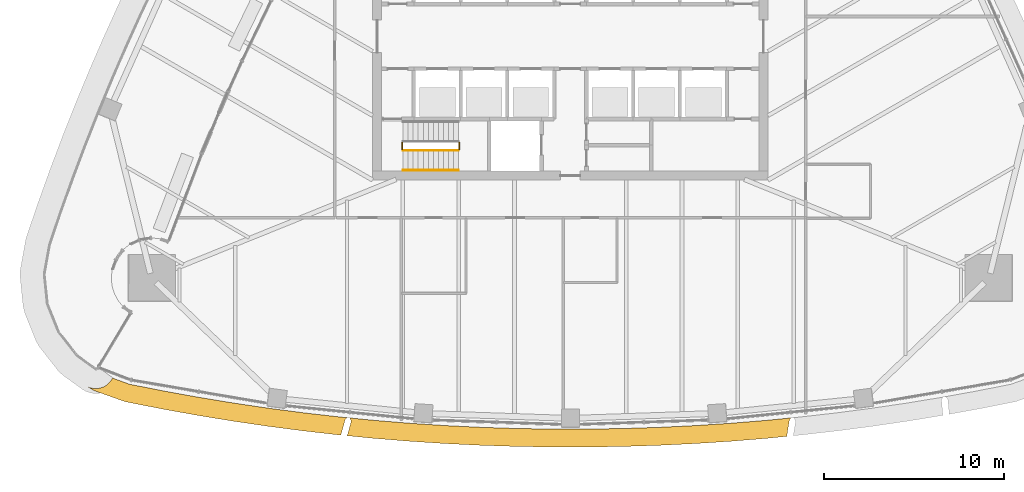
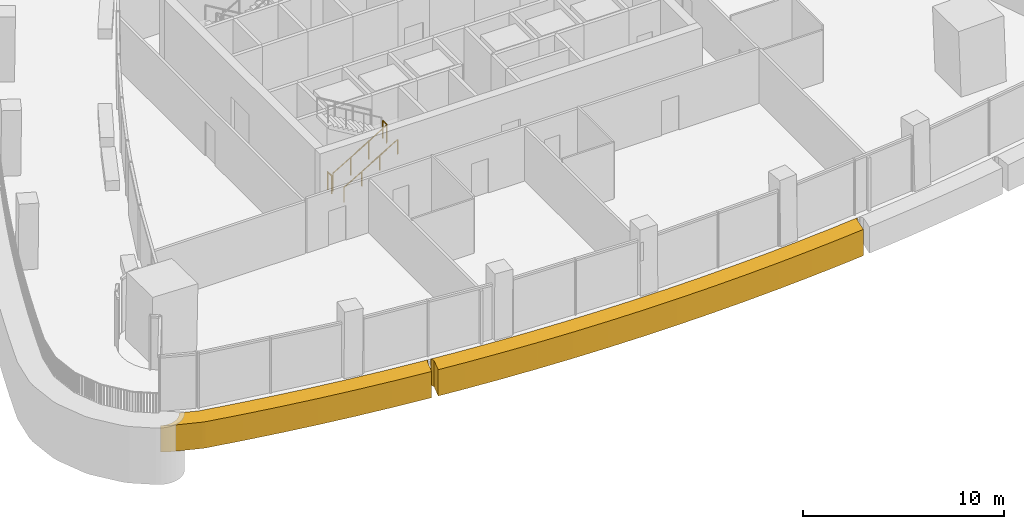
# One storey, part 13 of 18: 4 railings, 2 coverings.
"""IFC4 building model written with IfcOpenShell, lengths in metres."""

import ifcopenshell
import ifcopenshell.guid

model = None  # the IFC model being written
_history = None  # IfcOwnerHistory: only IFC2X3 demands one
_inside = {}  # id of a spatial element -> (the spatial element, [elements in it])
_under = {}  # id of a project, library or spatial element -> (it, [spatial elements below it])
_declared = {}  # id of a project -> (the project, [libraries it declares])
_typed = {}  # id of a type object -> (the type object, [elements of that type])
_made_of = {}  # id of a material, layer set ... -> (it, [elements and type objects made of it])


def new_model(schema):
    """Start an empty IFC model of exactly this schema.

    Asked for "IFC4X3", IfcOpenShell would pick the latest addendum, in which some entities
    have other attributes; the version numbers below select the first issue.
    IFC2X3 requires an IfcOwnerHistory on every rooted entity: one is made here for all.
    """
    global model, _history
    if schema == "IFC4X3":
        model = ifcopenshell.file(schema_version=(4, 3, 0, 0))
    else:
        model = ifcopenshell.file(schema=schema)
    _inside.clear()
    _under.clear()
    _declared.clear()
    _typed.clear()
    _made_of.clear()
    _history = None
    if model.schema == "IFC2X3":
        org = make("IfcOrganization", Name="unknown")
        user = make(
            "IfcPersonAndOrganization",
            ThePerson=make("IfcPerson", FamilyName="unknown"),
            TheOrganization=org,
        )
        app = make(
            "IfcApplication",
            ApplicationDeveloper=org,
            Version="unknown",
            ApplicationFullName="unknown",
            ApplicationIdentifier="unknown",
        )
        _history = make(
            "IfcOwnerHistory",
            OwningUser=user,
            OwningApplication=app,
            ChangeAction="ADDED",
            CreationDate=0,
        )
    return model


def make(cls, **values):
    """One entity of the class cls with the attributes given. An attribute that is None is left unset."""
    return model.create_entity(
        cls, **{name: value for name, value in values.items() if value is not None}
    )


def rooted(cls, **values):
    """An entity with a GlobalId (a new one), such as an element, a storey or a relation."""
    return make(cls, GlobalId=ifcopenshell.guid.new(), OwnerHistory=_history, **values)


def si_unit(unit_type, name, prefix=None):
    """IfcSIUnit, for example si_unit("LENGTHUNIT", "METRE", prefix="MILLI")."""
    return make("IfcSIUnit", UnitType=unit_type, Prefix=prefix, Name=name)


def assignment(units):
    """IfcUnitAssignment: the units of a project."""
    return None if units is None else make("IfcUnitAssignment", Units=units)


def point(xyz):
    """IfcCartesianPoint."""
    return None if xyz is None else make("IfcCartesianPoint", Coordinates=xyz)


def direction(xyz):
    """IfcDirection."""
    return None if xyz is None else make("IfcDirection", DirectionRatios=xyz)


def frame(location, z_axis=None, x_axis=None):
    """IfcAxis2Placement3D, a coordinate frame: its origin and axes. An axis left out is left unset."""
    return make(
        "IfcAxis2Placement3D",
        Location=point(location),
        Axis=direction(z_axis),
        RefDirection=direction(x_axis),
    )


def frame_2d(location, x_axis=None):
    """IfcAxis2Placement2D, a coordinate frame in the plane: its origin and x axis."""
    return make(
        "IfcAxis2Placement2D", Location=point(location), RefDirection=direction(x_axis)
    )


def origin():
    """The frame at (0, 0, 0) with its axes left unset."""
    return frame((0.0, 0.0, 0.0))


def origin_2d():
    """The frame at (0, 0) in the plane with its x axis left unset."""
    return frame_2d((0.0, 0.0))


def place(relative_to, where):
    """IfcLocalPlacement: puts the frame where relative to a parent placement (None: the world)."""
    return make(
        "IfcLocalPlacement", PlacementRelTo=relative_to, RelativePlacement=where
    )


def context(
    kind, dimensions, precision=None, world=None, true_north=None, identifier=None
):
    """IfcGeometricRepresentationContext, for example the 3D "Model" context."""
    return make(
        "IfcGeometricRepresentationContext",
        ContextIdentifier=identifier,
        ContextType=kind,
        CoordinateSpaceDimension=dimensions,
        Precision=precision,
        WorldCoordinateSystem=world,
        TrueNorth=true_north,
    )


def subcontext(parent, identifier, kind, view, scale=None):
    """IfcGeometricRepresentationSubContext, for example "Body" below "Model"."""
    return make(
        "IfcGeometricRepresentationSubContext",
        ContextIdentifier=identifier,
        ContextType=kind,
        ParentContext=parent,
        TargetScale=scale,
        TargetView=view,
    )


def project(units=None, contexts=None):
    """IfcProject with its units and contexts."""
    return rooted(
        "IfcProject",
        Name="project",
        RepresentationContexts=contexts,
        UnitsInContext=assignment(units),
    )


def spatial(cls, under=None, at=None, **own):
    """A site, building, storey or space (cls), placed at a placement, below another one or the project."""
    s = rooted(cls, ObjectPlacement=at, **own)
    if under is not None:
        _under.setdefault(under.id(), (under, []))[1].append(s)
    return s


def polyline(points):
    """IfcPolyline through the points."""
    return make("IfcPolyline", Points=[point(p) for p in points])


def profile(cls, at=None, kind="AREA", **sizes):
    """A parametric profile (cls). Its sizes go by their IFC names, for example OverallWidth=200.0."""
    return make(cls, ProfileType=kind, Position=at, **sizes)


def circle(**sizes):
    """IfcCircleProfileDef."""
    return profile("IfcCircleProfileDef", **sizes)


def outline(outer, holes=None, kind="AREA"):
    """IfcArbitraryClosedProfileDef: a profile drawn as a closed curve; with holes, ...WithVoids."""
    if holes is None:
        return make("IfcArbitraryClosedProfileDef", ProfileType=kind, OuterCurve=outer)
    return make(
        "IfcArbitraryProfileDefWithVoids",
        ProfileType=kind,
        OuterCurve=outer,
        InnerCurves=holes,
    )


def extrude(swept, where, along, depth):
    """IfcExtrudedAreaSolid: the profile swept, set in the frame where, extruded along a direction by depth."""
    return make(
        "IfcExtrudedAreaSolid",
        SweptArea=swept,
        Position=where,
        ExtrudedDirection=direction(along),
        Depth=depth,
    )


def shape(context_of_items, identifier, shape_type, items):
    """IfcShapeRepresentation: the items that make up one representation, for example the "Body"."""
    return make(
        "IfcShapeRepresentation",
        ContextOfItems=context_of_items,
        RepresentationIdentifier=identifier,
        RepresentationType=shape_type,
        Items=items,
    )


def material(Name=None, Category=None):
    """IfcMaterial."""
    return make("IfcMaterial", Name=Name, Category=Category)


def layer(
    of_material, thickness, ventilated=None, Name=None, Category=None, Priority=None
):
    """IfcMaterialLayer: one layer of a wall or slab, of a material (None: an air gap)."""
    return make(
        "IfcMaterialLayer",
        Material=of_material,
        LayerThickness=thickness,
        IsVentilated=ventilated,
        Name=Name,
        Category=Category,
        Priority=Priority,
    )


def layer_set(layers, Name=None):
    """IfcMaterialLayerSet."""
    return make("IfcMaterialLayerSet", MaterialLayers=layers, LayerSetName=Name)


def made_of(thing, what):
    """Note that an element or type object is made of a material, layer set ...; save() writes the relation."""
    if what is not None:
        _made_of.setdefault(what.id(), (what, []))[1].append(thing)
    return thing


def type_object(cls, material=None, **own):
    """A type object (cls), such as IfcWallType, which elements share."""
    return made_of(rooted(cls, **own), material)


def element(
    cls,
    number,
    at=None,
    inside=None,
    cuts=None,
    type_object=None,
    material=None,
    context=None,
    identifier="Body",
    shape_type=None,
    held_by="IfcProductDefinitionShape",
    body=None,
    shapes=None,
    **own,
):
    """One element of the class cls, such as IfcWall. Its Tag is "e" and its number.

    at: its placement. inside: the storey or other place that contains it. cuts: it is an
    opening in that element (IfcRelVoidsElement). A single representation is given by context,
    identifier, shape_type and body (its items); several are given by shapes. held_by: the class
    of the entity that holds the representations. save() writes the other relations.
    """
    e = rooted(cls, Tag="e%d" % number, ObjectPlacement=at, **own)
    if body is not None:
        shapes = [shape(context, identifier, shape_type, body)]
    if shapes is not None:
        e.Representation = make(held_by, Representations=shapes)
    if inside is not None:
        _inside.setdefault(inside.id(), (inside, []))[1].append(e)
    if cuts is not None:
        rooted(
            "IfcRelVoidsElement", RelatingBuildingElement=cuts, RelatedOpeningElement=e
        )
    if type_object is not None:
        _typed.setdefault(type_object.id(), (type_object, []))[1].append(e)
    return made_of(e, material)


def aggregate(whole, parts):
    """IfcRelAggregates: a whole, such as a stair, and the parts it consists of."""
    return rooted("IfcRelAggregates", RelatingObject=whole, RelatedObjects=parts)


def save(model, path):
    """Write the relations noted so far, then the file.

    IfcRelAggregates (storeys below a building ...), IfcRelContainedInSpatialStructure (elements
    in a storey), IfcRelDefinesByType, IfcRelAssociatesMaterial and IfcRelDeclares: one each for
    every whole, place, type object, material and project.
    """
    for whole, parts in _under.values():
        aggregate(whole, parts)
    for where, things in _inside.values():
        rooted(
            "IfcRelContainedInSpatialStructure",
            RelatedElements=things,
            RelatingStructure=where,
        )
    for kind, things in _typed.values():
        rooted("IfcRelDefinesByType", RelatedObjects=things, RelatingType=kind)
    for what, things in _made_of.values():
        rooted("IfcRelAssociatesMaterial", RelatedObjects=things, RelatingMaterial=what)
    for by, libraries in _declared.values():
        rooted("IfcRelDeclares", RelatingContext=by, RelatedDefinitions=libraries)
    model.write(path)


model = new_model("IFC4")

# Units and contexts
model_context = context("Model", 3, precision=1e-05, world=origin(), true_north=direction((0.0, 1.0)))
body_context = subcontext(model_context, "Body", "Model", "MODEL_VIEW")
ifc_project = project(units=[si_unit("LENGTHUNIT", "METRE"), si_unit("AREAUNIT", "SQUARE_METRE"), si_unit("VOLUMEUNIT", "CUBIC_METRE"), si_unit("PLANEANGLEUNIT", "RADIAN"), si_unit("MASSUNIT", "GRAM", prefix="KILO")], contexts=[model_context])

# Site, building, storey
site_placement = place(None, origin())
site = spatial("IfcSite", under=ifc_project, at=site_placement, CompositionType="ELEMENT")
building_placement = place(site_placement, origin())
building = spatial("IfcBuilding", under=site, at=building_placement, Name="Sierra Prisma Convention Tower", CompositionType="ELEMENT")
storey_placement = place(building_placement, frame((0.0, 0.0, 189.800048828125)))
storey = spatial("IfcBuildingStorey", under=building, at=storey_placement, Name="L42", CompositionType="ELEMENT", Elevation=189.800048828125)

# Coverings
ifc_material_1 = material(Name="Aluminium composite bronze anodised", Category="aluminium")
ifc_layer = layer(ifc_material_1, 1.0)
ifc_layer_set = layer_set([ifc_layer], Name="Bronze spandrel band")
covering_type = type_object("IfcCoveringType", Name="Bronze spandrel band", PredefinedType="CLADDING", material=ifc_layer_set)
covering_1_placement = place(storey_placement, frame((0.0, 0.0, -1.60009765625)))
element("IfcCovering", 1, at=covering_1_placement, inside=storey, type_object=covering_type, Name="Spandrel band L42.2", PredefinedType="CLADDING", context=body_context, shape_type="SweptSolid", body=[
    extrude(outline(polyline([(-24.514892578125, -19.356201171875), (-22.57763671875, -19.739013671875), (-20.63427734375, -20.08984375), (-18.685546875, -20.4091796875), (-16.73193359375, -20.697021484375), (-14.77392578125, -20.952880859375), (-12.81201171875, -21.177001953125), (-12.4072265625, -21.216796875), (-12.410400390625, -21.21728515625), (-12.415283203125, -21.218505859375), (-12.420166015625, -21.220458984375), (-12.4248046875, -21.222900390625), (-12.42919921875, -21.2255859375), (-12.43310546875, -21.22900390625), (-12.436767578125, -21.232421875), (-12.51904296875, -21.3232421875), (-12.522216796875, -21.326904296875), (-12.524658203125, -21.33056640625), (-12.52685546875, -21.334716796875), (-12.52880859375, -21.339111328125), (-12.5302734375, -21.343505859375), (-12.765380859375, -22.1865234375), (-12.9091796875, -22.17236328125), (-12.92529296875, -22.170654296875), (-14.887451171875, -21.946533203125), (-14.903564453125, -21.944580078125), (-16.861572265625, -21.688720703125), (-16.877685546875, -21.686279296875), (-18.831298828125, -21.398681640625), (-18.847412109375, -21.396240234375), (-20.796142578125, -21.07666015625), (-20.81201171875, -21.073974609375), (-22.75537109375, -20.722900390625), (-22.771240234375, -20.719970703125), (-24.70849609375, -20.33740234375), (-24.851806640625, -20.2978515625), (-26.443603515625, -19.727783203125), (-26.69189453125, -19.597412109375), (-26.81982421875, -19.5048828125), (-26.731201171875, -19.54052734375), (-26.63623046875, -19.568359375), (-26.5390625, -19.5869140625), (-26.4404296875, -19.595947265625), (-26.341552734375, -19.595458984375), (-26.242919921875, -19.585205078125), (-26.14599609375, -19.5654296875), (-26.05126953125, -19.53662109375), (-25.9599609375, -19.49853515625), (-25.872802734375, -19.451904296875), (-25.790283203125, -19.396728515625), (-25.713623046875, -19.334228515625), (-25.6435546875, -19.264404296875), (-25.580322265625, -19.18798828125), (-25.52490234375, -19.106201171875), (-25.469482421875, -19.014404296875), (-24.514892578125, -19.356201171875)])), origin(), (0.0, 0.0, 1.0), 1.60009765625),
])
covering_2_placement = place(storey_placement, frame((0.0, 0.0, -1.60009765625)))
element("IfcCovering", 2, at=covering_2_placement, inside=storey, type_object=covering_type, Name="Spandrel band L42.6", PredefinedType="CLADDING", context=body_context, shape_type="SweptSolid", body=[
    extrude(outline(polyline([(-0.9873046875, -22.850341796875), (-1.003662109375, -22.85009765625), (-2.97802734375, -22.818115234375), (-2.994384765625, -22.817626953125), (-4.968017578125, -22.75341796875), (-4.984130859375, -22.752685546875), (-6.95654296875, -22.656494140625), (-6.972900390625, -22.65576171875), (-8.943359375, -22.527587890625), (-8.95947265625, -22.5263671875), (-10.927734375, -22.365966796875), (-10.94384765625, -22.364501953125), (-12.41162109375, -22.220947265625), (-12.193115234375, -21.4375), (-12.192138671875, -21.432861328125), (-12.19140625, -21.42822265625), (-12.19140625, -21.423583984375), (-12.19140625, -21.4189453125), (-12.192138671875, -21.414306640625), (-12.193359375, -21.409912109375), (-12.19482421875, -21.405517578125), (-12.25390625, -21.25732421875), (-12.255859375, -21.252685546875), (-12.25830078125, -21.24853515625), (-12.26123046875, -21.244384765625), (-12.2646484375, -21.24072265625), (-12.268310546875, -21.2373046875), (-12.272216796875, -21.234375), (-12.276611328125, -21.231689453125), (-12.281005859375, -21.229736328125), (-12.283447265625, -21.228759765625), (-10.8466796875, -21.369384765625), (-8.87841796875, -21.529541015625), (-6.90771484375, -21.65771484375), (-4.935546875, -21.75390625), (-2.9619140625, -21.818115234375), (-0.9873046875, -21.850341796875), (0.9873046875, -21.850341796875), (2.9619140625, -21.818115234375), (4.935546875, -21.75390625), (6.90771484375, -21.65771484375), (8.87841796875, -21.529541015625), (10.8466796875, -21.369384765625), (12.283447265625, -21.228759765625), (12.281005859375, -21.229736328125), (12.276611328125, -21.231689453125), (12.272216796875, -21.234375), (12.268310546875, -21.2373046875), (12.2646484375, -21.24072265625), (12.261474609375, -21.244384765625), (12.258544921875, -21.248291015625), (12.196533203125, -21.342529296875), (12.194091796875, -21.346923828125), (12.19189453125, -21.351806640625), (12.190185546875, -21.356689453125), (12.18896484375, -21.36181640625), (12.04052734375, -22.25732421875), (10.94384765625, -22.364501953125), (10.927734375, -22.365966796875), (8.95947265625, -22.5263671875), (8.943359375, -22.527587890625), (6.972900390625, -22.65576171875), (6.95654296875, -22.656494140625), (4.984130859375, -22.752685546875), (4.968017578125, -22.75341796875), (2.994384765625, -22.817626953125), (2.97802734375, -22.818115234375), (1.003662109375, -22.85009765625), (0.9873046875, -22.850341796875), (-0.9873046875, -22.850341796875)])), origin(), (0.0, 0.0, 1.0), 1.60009765625),
])

# Railings
ifc_material_2 = material(Name="Stainless steel", Category="steel")
railing_type_1 = type_object("IfcRailingType", Name="Exit stair handrail", PredefinedType="HANDRAIL", material=ifc_material_2)
railing_1_placement = place(storey_placement, frame((-9.300048828125, -7.449951171875, 0.16650390625)))
element("IfcRailing", 3, at=railing_1_placement, inside=storey, type_object=railing_type_1, Name="L42 S1 stair handrail 1", PredefinedType="HANDRAIL", context=body_context, shape_type="SweptSolid", body=[
    extrude(circle(Radius=0.02392578125, at=origin_2d()), frame((0.0, 0.0, 0.8759765625), z_axis=(0.85927862911, 0.0, 0.511507807912), x_axis=(0.0, 1.0, 0.0)), (0.0, 0.0, 1.0), 3.58447265625),
    extrude(circle(Radius=0.02099609375, at=origin_2d()), origin(), (0.0, 0.0, 1.0), 0.851806640625),
    extrude(circle(Radius=0.02099609375, at=origin_2d()), frame((1.026611328125, 0.0, 0.611083984375)), (0.0, 0.0, 1.0), 0.851806640625),
    extrude(circle(Radius=0.02099609375, at=origin_2d()), frame((2.053466796875, 0.0, 1.222412109375)), (0.0, 0.0, 1.0), 0.851806640625),
    extrude(circle(Radius=0.02099609375, at=origin_2d()), frame((3.080078125, 0.0, 1.83349609375)), (0.0, 0.0, 1.0), 0.851806640625),
])
ifc_material_3 = material(Name="Stainless steel", Category="steel")
railing_type_2 = type_object("IfcRailingType", Name="Stair guard 1100", PredefinedType="GUARDRAIL", material=ifc_material_3)
railing_2_placement = place(storey_placement, frame((-9.300048828125, -6.35009765625, 0.16650390625)))
element("IfcRailing", 4, at=railing_2_placement, inside=storey, type_object=railing_type_2, Name="L42 S1 stair guard 1", PredefinedType="GUARDRAIL", context=body_context, shape_type="SweptSolid", body=[
    extrude(circle(Radius=0.02392578125, at=origin_2d()), frame((0.0, 0.0, 1.076171875), z_axis=(0.85927862911, 0.0, 0.511507807912), x_axis=(0.0, 1.0, 0.0)), (0.0, 0.0, 1.0), 3.58447265625),
    extrude(circle(Radius=0.02099609375, at=origin_2d()), origin(), (0.0, 0.0, 1.0), 1.052001953125),
    extrude(circle(Radius=0.02099609375, at=origin_2d()), frame((1.026611328125, 0.0, 0.611083984375)), (0.0, 0.0, 1.0), 1.052001953125),
    extrude(circle(Radius=0.02099609375, at=origin_2d()), frame((2.053466796875, 0.0, 1.222412109375)), (0.0, 0.0, 1.0), 1.052001953125),
    extrude(circle(Radius=0.02099609375, at=origin_2d()), frame((3.080078125, 0.0, 1.83349609375)), (0.0, 0.0, 1.0), 1.052001953125),
])
for number, where, name in (
    (5, (-6.169921875, -6.300048828125, 2.0), "L42 S1 stair guard 2"),
    (6, (-9.35009765625, -6.300048828125, 0.0), "L42 S1 stair guard 4"),
):
    element("IfcRailing", number, at=place(storey_placement, frame(where)), inside=storey, type_object=railing_type_2, Name=name, PredefinedType="GUARDRAIL", context=body_context, shape_type="SweptSolid", body=[
        extrude(circle(Radius=0.02392578125, at=origin_2d()), frame((0.0, 0.0, 1.076171875), z_axis=(0.0, 1.0, 0.0), x_axis=(-1.0, 0.0, 0.0)), (0.0, 0.0, 1.0), 0.400146484375),
        extrude(circle(Radius=0.02099609375, at=origin_2d()), origin(), (0.0, 0.0, 1.0), 1.052001953125),
        extrude(circle(Radius=0.02099609375, at=origin_2d()), frame((0.0, 0.400146484375, 0.0)), (0.0, 0.0, 1.0), 1.052001953125),
    ])

save(model, "model.ifc")
